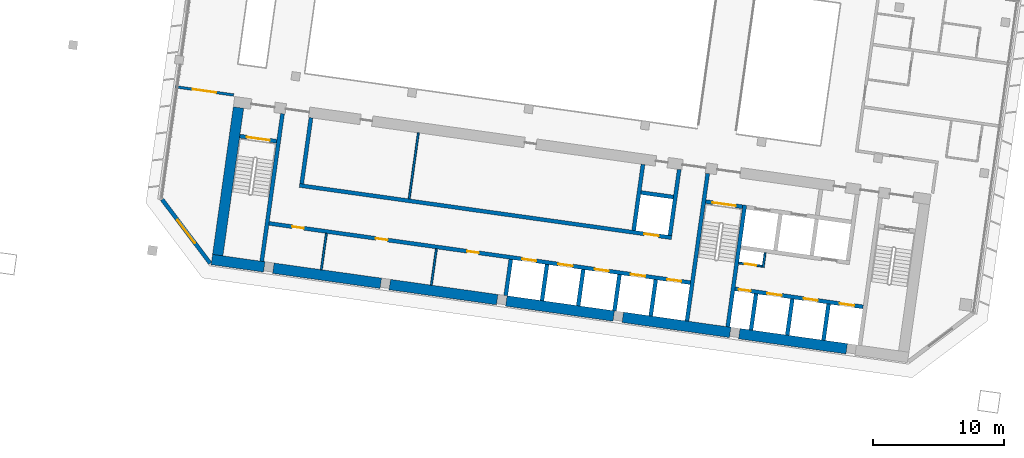
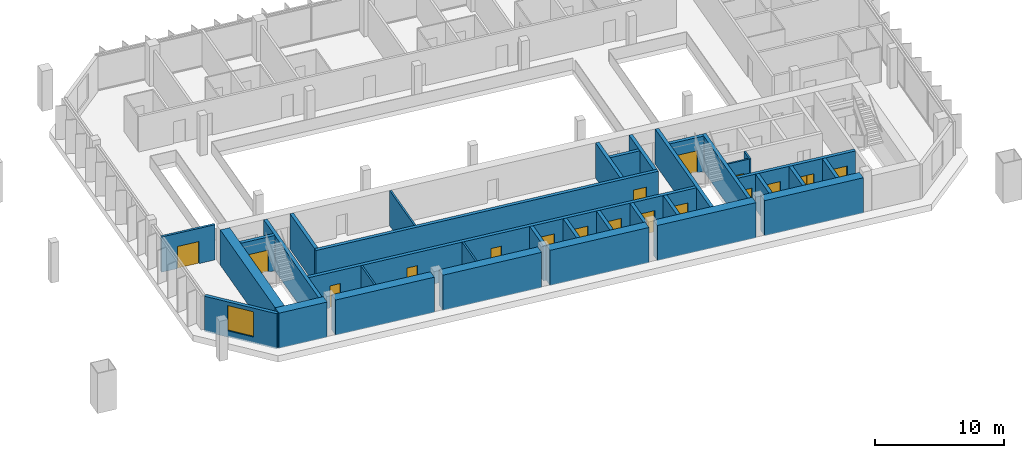
# One storey, part 16 of 26: 34 walls, 17 doors, 1 window, 18 openings.
"""IFC4 building model written with IfcOpenShell, lengths in metres."""

from ifc_helpers import new_model, si_unit, direction, frame, frame_2d, origin, place, context, subcontext, project, spatial, rectangle, extrude, material, layer, layer_set, type_object, element, fill, save


model = new_model("IFC4")

# Units and contexts
model_context = context("Model", 3, precision=1e-05, world=origin(), true_north=direction((0.0, 1.0)))
body_context = subcontext(model_context, "Body", "Model", "MODEL_VIEW")
ifc_project = project(units=[si_unit("LENGTHUNIT", "METRE"), si_unit("AREAUNIT", "SQUARE_METRE"), si_unit("VOLUMEUNIT", "CUBIC_METRE"), si_unit("PLANEANGLEUNIT", "RADIAN"), si_unit("MASSUNIT", "GRAM", prefix="KILO")], contexts=[model_context])

# Site, building, storey
site_placement = place(None, origin())
site = spatial("IfcSite", under=ifc_project, at=site_placement, CompositionType="ELEMENT")
building_placement = place(site_placement, origin())
building = spatial("IfcBuilding", under=site, at=building_placement, Name="Mirante Cascada Hotel Towers", CompositionType="ELEMENT")
storey_placement = place(building_placement, frame((0.0, 0.0, 98.7)))
storey = spatial("IfcBuildingStorey", under=building, at=storey_placement, Name="L21", CompositionType="ELEMENT", Elevation=98.7)

# Wall, opening, door
ifc_material_1 = material(Name="Fire-rated plasterboard on metal studs")
ifc_layer_1 = layer(ifc_material_1, 0.2)
ifc_layer_set_1 = layer_set([ifc_layer_1], Name="Compartment wall 200 EI 120")
wall_type_1 = type_object("IfcWallType", Name="Compartment wall 200 EI 120", PredefinedType="PARTITIONING", material=ifc_layer_set_1)
wall_1_placement = place(storey_placement, frame((-93.1941, 1.0244, 0.0), z_axis=(0.0, 0.0, 1.0), x_axis=(0.9902674, -0.1391779, 0.0)))
wall_1 = element("IfcWall", 1, at=wall_1_placement, inside=storey, type_object=wall_type_1, Name="Wall 1-L21-01", PredefinedType="PARTITIONING", context=body_context, shape_type="SweptSolid", body=[
    extrude(rectangle(XDim=4.5, YDim=0.2, at=frame_2d((2.25, 0.0))), origin(), (0.0, 0.0, 1.0), 3.35),
])
opening_1_placement = place(wall_1_placement, frame((1.35, 0.0, 0.0)))
opening_1 = element("IfcOpeningElement", 2, at=opening_1_placement, cuts=wall_1, Name="Opening D1-L21-01", PredefinedType="OPENING", context=body_context, shape_type="SweptSolid", body=[
    extrude(rectangle(XDim=1.8, YDim=2.1, at=frame_2d((0.9, 1.05))), frame((0.0, 0.1, 0.0), z_axis=(0.0, -1.0, 0.0), x_axis=(1.0, 0.0, 0.0)), (0.0, 0.0, 1.0), 0.2),
])
ifc_material_2 = material(Name="Fire-rated timber door leaf", Category="wood")
door_type_1 = type_object("IfcDoorType", Name="Suite double door DG2 1800x2100 EI 60", OperationType="DOUBLE_DOOR_SINGLE_SWING", PredefinedType="DOOR", material=ifc_material_2)
door_1_placement = place(opening_1_placement, origin())
door_1 = element("IfcDoor", 3, at=door_1_placement, inside=storey, type_object=door_type_1, Name="Door D1-L21-01", OperationType="DOUBLE_DOOR_SINGLE_SWING", OverallHeight=2.1, OverallWidth=1.8, PredefinedType="DOOR", context=body_context, shape_type="SweptSolid", body=[
    extrude(rectangle(XDim=0.895, YDim=2.1, at=frame_2d((0.4475, 1.05))), frame((0.0, 0.025, 0.0), z_axis=(0.0, -1.0, 0.0), x_axis=(1.0, 0.0, 0.0)), (0.0, 0.0, 1.0), 0.05),
    extrude(rectangle(XDim=0.895, YDim=2.1, at=frame_2d((1.3525, 1.05))), frame((0.0, 0.025, 0.0), z_axis=(0.0, -1.0, 0.0), x_axis=(1.0, 0.0, 0.0)), (0.0, 0.0, 1.0), 0.05),
])
fill(opening_1, door_1)

# Wall
ifc_material_3 = material(Name="Masonry block", Category="masonry")
ifc_layer_2 = layer(ifc_material_3, 0.15)
ifc_layer_set_2 = layer_set([ifc_layer_2], Name="Core room partition 150 block EI 30")
wall_type_2 = type_object("IfcWallType", Name="Core room partition 150 block EI 30", PredefinedType="PARTITIONING", material=ifc_layer_set_2)
wall_2_placement = place(storey_placement, frame((-48.2295, -12.793, 0.0), z_axis=(0.0, 0.0, 1.0), x_axis=(0.1391935, 0.9902652, 0.0)))
element("IfcWall", 4, at=wall_2_placement, inside=storey, type_object=wall_type_2, Name="Core wall partition T1 L21 2", PredefinedType="PARTITIONING", context=body_context, shape_type="SweptSolid", body=[
    extrude(rectangle(XDim=1.1251, YDim=0.15, at=frame_2d((0.5626, 0.0))), origin(), (0.0, 0.0, 1.0), 3.35),
])

# Wall, opening, door
wall_3_placement = place(storey_placement, frame((-48.2933, -12.7083, 0.0), z_axis=(0.0, 0.0, 1.0), x_axis=(-0.990268, 0.1391734, 0.0)))
wall_3 = element("IfcWall", 5, at=wall_3_placement, inside=storey, type_object=wall_type_2, Name="Core wall partition T1 L21 3", PredefinedType="PARTITIONING", context=body_context, shape_type="SweptSolid", body=[
    extrude(rectangle(XDim=1.8251, YDim=0.15, at=frame_2d((0.9126, 0.0))), origin(), (0.0, 0.0, 1.0), 3.35),
])
opening_2_placement = place(wall_3_placement, frame((0.4625, 0.0, 0.0)))
opening_2 = element("IfcOpeningElement", 6, at=opening_2_placement, cuts=wall_3, Name="Opening D1-21-C23", PredefinedType="OPENING", context=body_context, shape_type="SweptSolid", body=[
    extrude(rectangle(XDim=0.9, YDim=2.1, at=frame_2d((0.45, 1.05))), frame((0.0, 0.075, 0.0), z_axis=(0.0, -1.0, 0.0), x_axis=(1.0, 0.0, 0.0)), (0.0, 0.0, 1.0), 0.15),
])
ifc_material_4 = material(Name="Hollow metal fire door leaf")
door_type_2 = type_object("IfcDoorType", Name="Fire door 900x2100 FD60", OperationType="NOTDEFINED", PredefinedType="DOOR", material=ifc_material_4)
door_2_placement = place(opening_2_placement, origin())
door_2 = element("IfcDoor", 7, at=door_2_placement, inside=storey, type_object=door_type_2, Name="Riser door T1 L21 23", OperationType="SINGLE_SWING_LEFT", OverallHeight=2.1, OverallWidth=0.9, PredefinedType="DOOR", context=body_context, shape_type="SweptSolid", body=[
    extrude(rectangle(XDim=0.9, YDim=2.1, at=frame_2d((0.45, 1.05))), frame((0.0, 0.025, 0.0), z_axis=(0.0, -1.0, 0.0), x_axis=(1.0, 0.0, 0.0)), (0.0, 0.0, 1.0), 0.05),
])
fill(opening_2, door_2)

# Walls
wall_4_placement = place(storey_placement, frame((-73.6152, -14.1482, 0.0), z_axis=(0.0, 0.0, 1.0), x_axis=(0.139176, 0.9902677, 0.0)))
element("IfcWall", 8, at=wall_4_placement, inside=storey, type_object=wall_type_2, Name="Core wall partition T1 L21 4", PredefinedType="PARTITIONING", context=body_context, shape_type="SweptSolid", body=[
    extrude(rectangle(XDim=2.8001, YDim=0.15, at=frame_2d((1.4, 0.0))), origin(), (0.0, 0.0, 1.0), 3.35),
])
wall_5_placement = place(storey_placement, frame((-82.0324, -12.9652, 0.0), z_axis=(0.0, 0.0, 1.0), x_axis=(0.139141, 0.9902726, 0.0)))
element("IfcWall", 9, at=wall_5_placement, inside=storey, type_object=wall_type_2, Name="Core wall partition T1 L21 5", PredefinedType="PARTITIONING", context=body_context, shape_type="SweptSolid", body=[
    extrude(rectangle(XDim=2.8, YDim=0.15, at=frame_2d((1.4, 0.0))), origin(), (0.0, 0.0, 1.0), 3.35),
])
wall_6_placement = place(storey_placement, frame((-75.3131, -7.5476, 0.0), z_axis=(0.0, 0.0, 1.0), x_axis=(0.1391782, 0.9902673, 0.0)))
element("IfcWall", 10, at=wall_6_placement, inside=storey, type_object=wall_type_2, Name="Core wall partition T1 L21 6", PredefinedType="PARTITIONING", context=body_context, shape_type="SweptSolid", body=[
    extrude(rectangle(XDim=5.0999, YDim=0.15, at=frame_2d((2.55, 0.0))), origin(), (0.0, 0.0, 1.0), 3.35),
])

# Wall, opening, window
ifc_material_5 = material(Name="Precast concrete C40/50", Category="concrete")
ifc_layer_3 = layer(ifc_material_5, 0.3)
ifc_layer_set_3 = layer_set([ifc_layer_3], Name="Precast concrete C40/50 cladding wall 300")
wall_type_3 = type_object("IfcWallType", Name="Precast concrete C40/50 cladding wall 300", PredefinedType="STANDARD", material=ifc_layer_set_3)
wall_7_placement = place(storey_placement, frame((-90.5299, -12.4841, 0.0), z_axis=(0.0, 0.0, 1.0), x_axis=(-0.6018063, 0.7986421, 0.0)))
wall_7 = element("IfcWall", 11, at=wall_7_placement, inside=storey, type_object=wall_type_3, Name="Corner cladding wall T1 L21 rear outer", PredefinedType="STANDARD", context=body_context, shape_type="SweptSolid", body=[
    extrude(rectangle(XDim=6.1158, YDim=0.3, at=frame_2d((3.0579, 0.0))), origin(), (0.0, 0.0, 1.0), 3.35),
])
opening_3_placement = place(wall_7_placement, frame((1.9578, 0.0, 0.6)))
opening_3 = element("IfcOpeningElement", 12, at=opening_3_placement, cuts=wall_7, Name="Opening W1-21-01", PredefinedType="OPENING", context=body_context, shape_type="SweptSolid", body=[
    extrude(rectangle(XDim=2.2, YDim=2.4, at=frame_2d((1.1, 1.2))), frame((0.0, 0.15, 0.0), z_axis=(0.0, -1.0, 0.0), x_axis=(1.0, 0.0, 0.0)), (0.0, 0.0, 1.0), 0.3),
])
ifc_material_6 = material(Name="Aluminium frame with clear double glazing", Category="aluminium")
window_type = type_object("IfcWindowType", Name="Corner suite window 2200x2400", PartitioningType="DOUBLE_PANEL_VERTICAL", PredefinedType="WINDOW", material=ifc_material_6)
window_placement = place(opening_3_placement, origin())
window = element("IfcWindow", 13, at=window_placement, inside=storey, type_object=window_type, Name="Window W1-21-01", OverallHeight=2.4, OverallWidth=2.2, PartitioningType="SINGLE_PANEL", PredefinedType="WINDOW", context=body_context, shape_type="SweptSolid", body=[
    extrude(rectangle(XDim=2.2, YDim=2.4, at=frame_2d((1.1, 1.2))), frame((0.0, 0.03, 0.0), z_axis=(0.0, -1.0, 0.0), x_axis=(1.0, 0.0, 0.0)), (0.0, 0.0, 1.0), 0.06),
])
fill(opening_3, window)

# Walls
ifc_material_7 = material(Name="Concrete C50/60", Category="concrete")
ifc_layer_4 = layer(ifc_material_7, 0.3)
ifc_layer_set_4 = layer_set([ifc_layer_4], Name="RC core wall 300 C50/60")
wall_type_4 = type_object("IfcWallType", Name="RC core wall 300 C50/60", PredefinedType="SHEAR", material=ifc_layer_set_4)
wall_8_placement = place(storey_placement, frame((-50.938, -17.3352, 0.0), z_axis=(0.0, 0.0, 1.0), x_axis=(0.1391706, 0.9902684, 0.0)))
element("IfcWall", 14, at=wall_8_placement, inside=storey, type_object=wall_type_4, Name="Core wall T1:L21:6", PredefinedType="SHEAR", context=body_context, shape_type="SweptSolid", body=[
    extrude(rectangle(XDim=9.4, YDim=0.3, at=frame_2d((4.7, 0.0))), origin(), (0.0, 0.0, 1.0), 3.35),
])
wall_9_placement = place(storey_placement, frame((-54.0574, -16.8968, 0.0), z_axis=(0.0, 0.0, 1.0), x_axis=(0.1391761, 0.9902677, 0.0)))
element("IfcWall", 15, at=wall_9_placement, inside=storey, type_object=wall_type_4, Name="Core wall T1:L21:7", PredefinedType="SHEAR", context=body_context, shape_type="SweptSolid", body=[
    extrude(rectangle(XDim=11.3999, YDim=0.3, at=frame_2d((5.7, 0.0))), origin(), (0.0, 0.0, 1.0), 3.35),
])
wall_10_placement = place(storey_placement, frame((-86.5877, -12.325, 0.0), z_axis=(0.0, 0.0, 1.0), x_axis=(0.1391749, 0.9902678, 0.0)))
element("IfcWall", 16, at=wall_10_placement, inside=storey, type_object=wall_type_4, Name="Core wall T1:L21:8", PredefinedType="SHEAR", context=body_context, shape_type="SweptSolid", body=[
    extrude(rectangle(XDim=11.4, YDim=0.3, at=frame_2d((5.7, 0.0))), origin(), (0.0, 0.0, 1.0), 3.35),
])

# Wall, opening, door
wall_11_placement = place(storey_placement, frame((-49.7992, -8.1544, 0.0), z_axis=(0.0, 0.0, 1.0), x_axis=(-0.9902656, 0.1391909, 0.0)))
wall_11 = element("IfcWall", 17, at=wall_11_placement, inside=storey, type_object=wall_type_4, Name="Core wall T1:L21:10", PredefinedType="SHEAR", context=body_context, shape_type="SweptSolid", body=[
    extrude(rectangle(XDim=2.85, YDim=0.3, at=frame_2d((1.425, 0.0))), origin(), (0.0, 0.0, 1.0), 3.35),
])
opening_4_placement = place(wall_11_placement, frame((0.525, 0.0, 0.0)))
opening_4 = element("IfcOpeningElement", 18, at=opening_4_placement, cuts=wall_11, Name="Opening D1-21-C15", PredefinedType="OPENING", context=body_context, shape_type="SweptSolid", body=[
    extrude(rectangle(XDim=1.8, YDim=2.1, at=frame_2d((0.9, 1.05))), frame((0.0, 0.15, 0.0), z_axis=(0.0, -1.0, 0.0), x_axis=(1.0, 0.0, 0.0)), (0.0, 0.0, 1.0), 0.3),
])
ifc_material_8 = material(Name="Hollow metal fire door leaf")
door_type_3 = type_object("IfcDoorType", Name="Double fire door 1800x2100 FD60", OperationType="DOUBLE_DOOR_SINGLE_SWING", PredefinedType="DOOR", material=ifc_material_8)
door_3_placement = place(opening_4_placement, origin())
door_3 = element("IfcDoor", 19, at=door_3_placement, inside=storey, type_object=door_type_3, Name="Stair door T1 L21 15", OperationType="DOUBLE_DOOR_SINGLE_SWING", OverallHeight=2.1, OverallWidth=1.8, PredefinedType="DOOR", context=body_context, shape_type="SweptSolid", body=[
    extrude(rectangle(XDim=0.895, YDim=2.1, at=frame_2d((0.4475, 1.05))), frame((0.0, 0.025, 0.0), z_axis=(0.0, -1.0, 0.0), x_axis=(1.0, 0.0, 0.0)), (0.0, 0.0, 1.0), 0.05),
    extrude(rectangle(XDim=0.895, YDim=2.1, at=frame_2d((1.3525, 1.05))), frame((0.0, 0.025, 0.0), z_axis=(0.0, -1.0, 0.0), x_axis=(1.0, 0.0, 0.0)), (0.0, 0.0, 1.0), 0.05),
])
fill(opening_4, door_3)

wall_12_placement = place(storey_placement, frame((-85.4489, -3.1441, 0.0), z_axis=(0.0, 0.0, 1.0), x_axis=(-0.9902697, 0.1391613, 0.0)))
wall_12 = element("IfcWall", 20, at=wall_12_placement, inside=storey, type_object=wall_type_4, Name="Core wall T1:L21:11", PredefinedType="SHEAR", context=body_context, shape_type="SweptSolid", body=[
    extrude(rectangle(XDim=2.8499, YDim=0.3, at=frame_2d((1.425, 0.0))), origin(), (0.0, 0.0, 1.0), 3.35),
])
opening_5_placement = place(wall_12_placement, frame((0.525, 0.0, 0.0)))
opening_5 = element("IfcOpeningElement", 21, at=opening_5_placement, cuts=wall_12, Name="Opening D1-21-C17", PredefinedType="OPENING", context=body_context, shape_type="SweptSolid", body=[
    extrude(rectangle(XDim=1.8, YDim=2.1, at=frame_2d((0.9, 1.05))), frame((0.0, 0.15, 0.0), z_axis=(0.0, -1.0, 0.0), x_axis=(1.0, 0.0, 0.0)), (0.0, 0.0, 1.0), 0.3),
])
door_4_placement = place(opening_5_placement, origin())
door_4 = element("IfcDoor", 22, at=door_4_placement, inside=storey, type_object=door_type_3, Name="Stair door T1 L21 17", OperationType="DOUBLE_DOOR_SINGLE_SWING", OverallHeight=2.1, OverallWidth=1.8, PredefinedType="DOOR", context=body_context, shape_type="SweptSolid", body=[
    extrude(rectangle(XDim=0.895, YDim=2.1, at=frame_2d((0.4475, 1.05))), frame((0.0, 0.025, 0.0), z_axis=(0.0, -1.0, 0.0), x_axis=(1.0, 0.0, 0.0)), (0.0, 0.0, 1.0), 0.05),
    extrude(rectangle(XDim=0.895, YDim=2.1, at=frame_2d((1.3525, 1.05))), frame((0.0, 0.025, 0.0), z_axis=(0.0, -1.0, 0.0), x_axis=(1.0, 0.0, 0.0)), (0.0, 0.0, 1.0), 0.05),
])
fill(opening_5, door_4)

# Wall, openings, doors
wall_13_placement = place(storey_placement, frame((-40.5753, -15.8126, 0.0), z_axis=(0.0, 0.0, 1.0), x_axis=(-0.9902682, 0.1391725, 0.0)))
wall_13 = element("IfcWall", 23, at=wall_13_placement, inside=storey, type_object=wall_type_4, Name="Core wall T1:L21:12", PredefinedType="SHEAR", context=body_context, shape_type="SweptSolid", body=[
    extrude(rectangle(XDim=9.8999, YDim=0.3, at=frame_2d((4.95, 0.0))), origin(), (0.0, 0.0, 1.0), 3.35),
])
opening_6_placement = place(wall_13_placement, frame((0.7, 0.0, 0.0)))
opening_6 = element("IfcOpeningElement", 24, at=opening_6_placement, cuts=wall_13, Name="Opening LD", PredefinedType="OPENING", context=body_context, shape_type="SweptSolid", body=[
    extrude(rectangle(XDim=1.1, YDim=2.1, at=frame_2d((0.55, 1.05))), frame((0.0, 0.15, 0.0), z_axis=(0.0, -1.0, 0.0), x_axis=(1.0, 0.0, 0.0)), (0.0, 0.0, 1.0), 0.3),
])
opening_7_placement = place(wall_13_placement, frame((3.5, 0.0, 0.0)))
opening_7 = element("IfcOpeningElement", 25, at=opening_7_placement, cuts=wall_13, Name="Opening LD", PredefinedType="OPENING", context=body_context, shape_type="SweptSolid", body=[
    extrude(rectangle(XDim=1.1, YDim=2.1, at=frame_2d((0.55, 1.05))), frame((0.0, 0.15, 0.0), z_axis=(0.0, -1.0, 0.0), x_axis=(1.0, 0.0, 0.0)), (0.0, 0.0, 1.0), 0.3),
])
opening_8_placement = place(wall_13_placement, frame((6.3, 0.0, 0.0)))
opening_8 = element("IfcOpeningElement", 26, at=opening_8_placement, cuts=wall_13, Name="Opening LD", PredefinedType="OPENING", context=body_context, shape_type="SweptSolid", body=[
    extrude(rectangle(XDim=1.1, YDim=2.1, at=frame_2d((0.55, 1.05))), frame((0.0, 0.15, 0.0), z_axis=(0.0, -1.0, 0.0), x_axis=(1.0, 0.0, 0.0)), (0.0, 0.0, 1.0), 0.3),
])
opening_9_placement = place(wall_13_placement, frame((8.7, 0.0, 0.0)))
opening_9 = element("IfcOpeningElement", 27, at=opening_9_placement, cuts=wall_13, Name="Opening D1-21-C22", PredefinedType="OPENING", context=body_context, shape_type="SweptSolid", body=[
    extrude(rectangle(XDim=0.9, YDim=2.1, at=frame_2d((0.45, 1.05))), frame((0.0, 0.15, 0.0), z_axis=(0.0, -1.0, 0.0), x_axis=(1.0, 0.0, 0.0)), (0.0, 0.0, 1.0), 0.3),
])
door_5_placement = place(opening_9_placement, origin())
door_5 = element("IfcDoor", 28, at=door_5_placement, inside=storey, type_object=door_type_2, Name="Riser door T1 L21 22", OperationType="SINGLE_SWING_LEFT", OverallHeight=2.1, OverallWidth=0.9, PredefinedType="DOOR", context=body_context, shape_type="SweptSolid", body=[
    extrude(rectangle(XDim=0.9, YDim=2.1, at=frame_2d((0.45, 1.05))), frame((0.0, 0.025, 0.0), z_axis=(0.0, -1.0, 0.0), x_axis=(1.0, 0.0, 0.0)), (0.0, 0.0, 1.0), 0.05),
])
fill(opening_9, door_5)
ifc_material_9 = material(Name="Stainless steel", Category="steel")
door_type_4 = type_object("IfcDoorType", Name="Lift landing door 1100x2100 EI 120", OperationType="DOUBLE_DOOR_SLIDING", PredefinedType="DOOR", material=ifc_material_9)
door_6_placement = place(opening_6_placement, origin())
door_6 = element("IfcDoor", 29, at=door_6_placement, inside=storey, type_object=door_type_4, Name="Lift landing door HR1-1 L21", OperationType="DOUBLE_DOOR_SLIDING", OverallHeight=2.1, OverallWidth=1.1, PredefinedType="DOOR", context=body_context, shape_type="SweptSolid", body=[
    extrude(rectangle(XDim=0.545, YDim=2.1, at=frame_2d((0.2725, 1.05))), frame((0.0, 0.025, 0.0), z_axis=(0.0, -1.0, 0.0), x_axis=(1.0, 0.0, 0.0)), (0.0, 0.0, 1.0), 0.05),
    extrude(rectangle(XDim=0.545, YDim=2.1, at=frame_2d((0.8275, 1.05))), frame((0.0, 0.025, 0.0), z_axis=(0.0, -1.0, 0.0), x_axis=(1.0, 0.0, 0.0)), (0.0, 0.0, 1.0), 0.05),
])
fill(opening_6, door_6)
door_7_placement = place(opening_7_placement, origin())
door_7 = element("IfcDoor", 30, at=door_7_placement, inside=storey, type_object=door_type_4, Name="Lift landing door HR1-2 L21", OperationType="DOUBLE_DOOR_SLIDING", OverallHeight=2.1, OverallWidth=1.1, PredefinedType="DOOR", context=body_context, shape_type="SweptSolid", body=[
    extrude(rectangle(XDim=0.545, YDim=2.1, at=frame_2d((0.2725, 1.05))), frame((0.0, 0.025, 0.0), z_axis=(0.0, -1.0, 0.0), x_axis=(1.0, 0.0, 0.0)), (0.0, 0.0, 1.0), 0.05),
    extrude(rectangle(XDim=0.545, YDim=2.1, at=frame_2d((0.8275, 1.05))), frame((0.0, 0.025, 0.0), z_axis=(0.0, -1.0, 0.0), x_axis=(1.0, 0.0, 0.0)), (0.0, 0.0, 1.0), 0.05),
])
fill(opening_7, door_7)
door_8_placement = place(opening_8_placement, origin())
door_8 = element("IfcDoor", 31, at=door_8_placement, inside=storey, type_object=door_type_4, Name="Lift landing door HR1-3 L21", OperationType="DOUBLE_DOOR_SLIDING", OverallHeight=2.1, OverallWidth=1.1, PredefinedType="DOOR", context=body_context, shape_type="SweptSolid", body=[
    extrude(rectangle(XDim=0.545, YDim=2.1, at=frame_2d((0.2725, 1.05))), frame((0.0, 0.025, 0.0), z_axis=(0.0, -1.0, 0.0), x_axis=(1.0, 0.0, 0.0)), (0.0, 0.0, 1.0), 0.05),
    extrude(rectangle(XDim=0.545, YDim=2.1, at=frame_2d((0.8275, 1.05))), frame((0.0, 0.025, 0.0), z_axis=(0.0, -1.0, 0.0), x_axis=(1.0, 0.0, 0.0)), (0.0, 0.0, 1.0), 0.05),
])
fill(opening_8, door_8)

# Walls
wall_14_placement = place(storey_placement, frame((-43.61, -18.3651, 0.0), z_axis=(0.0, 0.0, 1.0), x_axis=(0.1391459, 0.9902719, 0.0)))
element("IfcWall", 32, at=wall_14_placement, inside=storey, type_object=wall_type_4, Name="Core wall T1:L21:15", PredefinedType="SHEAR", context=body_context, shape_type="SweptSolid", body=[
    extrude(rectangle(XDim=2.7999, YDim=0.3, at=frame_2d((1.4, 0.0))), origin(), (0.0, 0.0, 1.0), 3.35),
])
wall_15_placement = place(storey_placement, frame((-46.3828, -17.9754, 0.0), z_axis=(0.0, 0.0, 1.0), x_axis=(0.139181, 0.990267, 0.0)))
element("IfcWall", 33, at=wall_15_placement, inside=storey, type_object=wall_type_4, Name="Core wall T1:L21:16", PredefinedType="SHEAR", context=body_context, shape_type="SweptSolid", body=[
    extrude(rectangle(XDim=2.8, YDim=0.3, at=frame_2d((1.4, 0.0))), origin(), (0.0, 0.0, 1.0), 3.35),
])
wall_16_placement = place(storey_placement, frame((-49.1555, -17.5857, 0.0), z_axis=(0.0, 0.0, 1.0), x_axis=(0.1391459, 0.9902719, 0.0)))
element("IfcWall", 34, at=wall_16_placement, inside=storey, type_object=wall_type_4, Name="Core wall T1:L21:17", PredefinedType="SHEAR", context=body_context, shape_type="SweptSolid", body=[
    extrude(rectangle(XDim=2.7999, YDim=0.3, at=frame_2d((1.4, 0.0))), origin(), (0.0, 0.0, 1.0), 3.35),
])

# Wall, openings, doors
wall_17_placement = place(storey_placement, frame((-53.7953, -13.9547, 0.0), z_axis=(0.0, 0.0, 1.0), x_axis=(-0.990268, 0.1391733, 0.0)))
wall_17 = element("IfcWall", 35, at=wall_17_placement, inside=storey, type_object=wall_type_4, Name="Core wall T1:L21:24", PredefinedType="SHEAR", context=body_context, shape_type="SweptSolid", body=[
    extrude(rectangle(XDim=32.5501, YDim=0.3, at=frame_2d((16.275, 0.0))), origin(), (0.0, 0.0, 1.0), 3.35),
])
opening_10_placement = place(wall_17_placement, frame((0.7, 0.0, 0.0)))
opening_10 = element("IfcOpeningElement", 36, at=opening_10_placement, cuts=wall_17, Name="Opening LD", PredefinedType="OPENING", context=body_context, shape_type="SweptSolid", body=[
    extrude(rectangle(XDim=1.1, YDim=2.1, at=frame_2d((0.55, 1.05))), frame((0.0, 0.15, 0.0), z_axis=(0.0, -1.0, 0.0), x_axis=(1.0, 0.0, 0.0)), (0.0, 0.0, 1.0), 0.3),
])
opening_11_placement = place(wall_17_placement, frame((3.5, 0.0, 0.0)))
opening_11 = element("IfcOpeningElement", 37, at=opening_11_placement, cuts=wall_17, Name="Opening LD", PredefinedType="OPENING", context=body_context, shape_type="SweptSolid", body=[
    extrude(rectangle(XDim=1.1, YDim=2.1, at=frame_2d((0.55, 1.05))), frame((0.0, 0.15, 0.0), z_axis=(0.0, -1.0, 0.0), x_axis=(1.0, 0.0, 0.0)), (0.0, 0.0, 1.0), 0.3),
])
opening_12_placement = place(wall_17_placement, frame((6.3, 0.0, 0.0)))
opening_12 = element("IfcOpeningElement", 38, at=opening_12_placement, cuts=wall_17, Name="Opening LD", PredefinedType="OPENING", context=body_context, shape_type="SweptSolid", body=[
    extrude(rectangle(XDim=1.1, YDim=2.1, at=frame_2d((0.55, 1.05))), frame((0.0, 0.15, 0.0), z_axis=(0.0, -1.0, 0.0), x_axis=(1.0, 0.0, 0.0)), (0.0, 0.0, 1.0), 0.3),
])
opening_13_placement = place(wall_17_placement, frame((9.1, 0.0, 0.0)))
opening_13 = element("IfcOpeningElement", 39, at=opening_13_placement, cuts=wall_17, Name="Opening LD", PredefinedType="OPENING", context=body_context, shape_type="SweptSolid", body=[
    extrude(rectangle(XDim=1.1, YDim=2.1, at=frame_2d((0.55, 1.05))), frame((0.0, 0.15, 0.0), z_axis=(0.0, -1.0, 0.0), x_axis=(1.0, 0.0, 0.0)), (0.0, 0.0, 1.0), 0.3),
])
opening_14_placement = place(wall_17_placement, frame((11.9, 0.0, 0.0)))
opening_14 = element("IfcOpeningElement", 40, at=opening_14_placement, cuts=wall_17, Name="Opening LD", PredefinedType="OPENING", context=body_context, shape_type="SweptSolid", body=[
    extrude(rectangle(XDim=1.1, YDim=2.1, at=frame_2d((0.55, 1.05))), frame((0.0, 0.15, 0.0), z_axis=(0.0, -1.0, 0.0), x_axis=(1.0, 0.0, 0.0)), (0.0, 0.0, 1.0), 0.3),
])
opening_15_placement = place(wall_17_placement, frame((16.35, 0.0, 0.0)))
opening_15 = element("IfcOpeningElement", 41, at=opening_15_placement, cuts=wall_17, Name="Opening D1-21-C25", PredefinedType="OPENING", context=body_context, shape_type="SweptSolid", body=[
    extrude(rectangle(XDim=0.9, YDim=2.1, at=frame_2d((0.45, 1.05))), frame((0.0, 0.15, 0.0), z_axis=(0.0, -1.0, 0.0), x_axis=(1.0, 0.0, 0.0)), (0.0, 0.0, 1.0), 0.3),
])
opening_16_placement = place(wall_17_placement, frame((23.4, 0.0, 0.0)))
opening_16 = element("IfcOpeningElement", 42, at=opening_16_placement, cuts=wall_17, Name="Opening D1-21-C26", PredefinedType="OPENING", context=body_context, shape_type="SweptSolid", body=[
    extrude(rectangle(XDim=0.9, YDim=2.1, at=frame_2d((0.45, 1.05))), frame((0.0, 0.15, 0.0), z_axis=(0.0, -1.0, 0.0), x_axis=(1.0, 0.0, 0.0)), (0.0, 0.0, 1.0), 0.3),
])
opening_17_placement = place(wall_17_placement, frame((29.875, 0.0, 0.0)))
opening_17 = element("IfcOpeningElement", 43, at=opening_17_placement, cuts=wall_17, Name="Opening D1-21-C27", PredefinedType="OPENING", context=body_context, shape_type="SweptSolid", body=[
    extrude(rectangle(XDim=0.9, YDim=2.1, at=frame_2d((0.45, 1.05))), frame((0.0, 0.15, 0.0), z_axis=(0.0, -1.0, 0.0), x_axis=(1.0, 0.0, 0.0)), (0.0, 0.0, 1.0), 0.3),
])
door_9_placement = place(opening_15_placement, origin())
door_9 = element("IfcDoor", 44, at=door_9_placement, inside=storey, type_object=door_type_2, Name="Room door T1 L21 25", OperationType="SINGLE_SWING_LEFT", OverallHeight=2.1, OverallWidth=0.9, PredefinedType="DOOR", context=body_context, shape_type="SweptSolid", body=[
    extrude(rectangle(XDim=0.9, YDim=2.1, at=frame_2d((0.45, 1.05))), frame((0.0, 0.025, 0.0), z_axis=(0.0, -1.0, 0.0), x_axis=(1.0, 0.0, 0.0)), (0.0, 0.0, 1.0), 0.05),
])
fill(opening_15, door_9)
door_10_placement = place(opening_16_placement, origin())
door_10 = element("IfcDoor", 45, at=door_10_placement, inside=storey, type_object=door_type_2, Name="Room door T1 L21 26", OperationType="SINGLE_SWING_LEFT", OverallHeight=2.1, OverallWidth=0.9, PredefinedType="DOOR", context=body_context, shape_type="SweptSolid", body=[
    extrude(rectangle(XDim=0.9, YDim=2.1, at=frame_2d((0.45, 1.05))), frame((0.0, 0.025, 0.0), z_axis=(0.0, -1.0, 0.0), x_axis=(1.0, 0.0, 0.0)), (0.0, 0.0, 1.0), 0.05),
])
fill(opening_16, door_10)
door_11_placement = place(opening_17_placement, origin())
door_11 = element("IfcDoor", 46, at=door_11_placement, inside=storey, type_object=door_type_2, Name="Room door T1 L21 27", OperationType="SINGLE_SWING_LEFT", OverallHeight=2.1, OverallWidth=0.9, PredefinedType="DOOR", context=body_context, shape_type="SweptSolid", body=[
    extrude(rectangle(XDim=0.9, YDim=2.1, at=frame_2d((0.45, 1.05))), frame((0.0, 0.025, 0.0), z_axis=(0.0, -1.0, 0.0), x_axis=(1.0, 0.0, 0.0)), (0.0, 0.0, 1.0), 0.05),
])
fill(opening_17, door_11)
door_12_placement = place(opening_10_placement, origin())
door_12 = element("IfcDoor", 47, at=door_12_placement, inside=storey, type_object=door_type_4, Name="Lift landing door LR1-1 L21", OperationType="DOUBLE_DOOR_SLIDING", OverallHeight=2.1, OverallWidth=1.1, PredefinedType="DOOR", context=body_context, shape_type="SweptSolid", body=[
    extrude(rectangle(XDim=0.545, YDim=2.1, at=frame_2d((0.2725, 1.05))), frame((0.0, 0.025, 0.0), z_axis=(0.0, -1.0, 0.0), x_axis=(1.0, 0.0, 0.0)), (0.0, 0.0, 1.0), 0.05),
    extrude(rectangle(XDim=0.545, YDim=2.1, at=frame_2d((0.8275, 1.05))), frame((0.0, 0.025, 0.0), z_axis=(0.0, -1.0, 0.0), x_axis=(1.0, 0.0, 0.0)), (0.0, 0.0, 1.0), 0.05),
])
fill(opening_10, door_12)
door_13_placement = place(opening_11_placement, origin())
door_13 = element("IfcDoor", 48, at=door_13_placement, inside=storey, type_object=door_type_4, Name="Lift landing door LR1-2 L21", OperationType="DOUBLE_DOOR_SLIDING", OverallHeight=2.1, OverallWidth=1.1, PredefinedType="DOOR", context=body_context, shape_type="SweptSolid", body=[
    extrude(rectangle(XDim=0.545, YDim=2.1, at=frame_2d((0.2725, 1.05))), frame((0.0, 0.025, 0.0), z_axis=(0.0, -1.0, 0.0), x_axis=(1.0, 0.0, 0.0)), (0.0, 0.0, 1.0), 0.05),
    extrude(rectangle(XDim=0.545, YDim=2.1, at=frame_2d((0.8275, 1.05))), frame((0.0, 0.025, 0.0), z_axis=(0.0, -1.0, 0.0), x_axis=(1.0, 0.0, 0.0)), (0.0, 0.0, 1.0), 0.05),
])
fill(opening_11, door_13)
door_14_placement = place(opening_12_placement, origin())
door_14 = element("IfcDoor", 49, at=door_14_placement, inside=storey, type_object=door_type_4, Name="Lift landing door SV1-1 L21", OperationType="DOUBLE_DOOR_SLIDING", OverallHeight=2.1, OverallWidth=1.1, PredefinedType="DOOR", context=body_context, shape_type="SweptSolid", body=[
    extrude(rectangle(XDim=0.545, YDim=2.1, at=frame_2d((0.2725, 1.05))), frame((0.0, 0.025, 0.0), z_axis=(0.0, -1.0, 0.0), x_axis=(1.0, 0.0, 0.0)), (0.0, 0.0, 1.0), 0.05),
    extrude(rectangle(XDim=0.545, YDim=2.1, at=frame_2d((0.8275, 1.05))), frame((0.0, 0.025, 0.0), z_axis=(0.0, -1.0, 0.0), x_axis=(1.0, 0.0, 0.0)), (0.0, 0.0, 1.0), 0.05),
])
fill(opening_12, door_14)
door_15_placement = place(opening_13_placement, origin())
door_15 = element("IfcDoor", 50, at=door_15_placement, inside=storey, type_object=door_type_4, Name="Lift landing door SV1-2 L21", OperationType="DOUBLE_DOOR_SLIDING", OverallHeight=2.1, OverallWidth=1.1, PredefinedType="DOOR", context=body_context, shape_type="SweptSolid", body=[
    extrude(rectangle(XDim=0.545, YDim=2.1, at=frame_2d((0.2725, 1.05))), frame((0.0, 0.025, 0.0), z_axis=(0.0, -1.0, 0.0), x_axis=(1.0, 0.0, 0.0)), (0.0, 0.0, 1.0), 0.05),
    extrude(rectangle(XDim=0.545, YDim=2.1, at=frame_2d((0.8275, 1.05))), frame((0.0, 0.025, 0.0), z_axis=(0.0, -1.0, 0.0), x_axis=(1.0, 0.0, 0.0)), (0.0, 0.0, 1.0), 0.05),
])
fill(opening_13, door_15)
door_16_placement = place(opening_14_placement, origin())
door_16 = element("IfcDoor", 51, at=door_16_placement, inside=storey, type_object=door_type_4, Name="Lift landing door SV1-3 L21", OperationType="DOUBLE_DOOR_SLIDING", OverallHeight=2.1, OverallWidth=1.1, PredefinedType="DOOR", context=body_context, shape_type="SweptSolid", body=[
    extrude(rectangle(XDim=0.545, YDim=2.1, at=frame_2d((0.2725, 1.05))), frame((0.0, 0.025, 0.0), z_axis=(0.0, -1.0, 0.0), x_axis=(1.0, 0.0, 0.0)), (0.0, 0.0, 1.0), 0.05),
    extrude(rectangle(XDim=0.545, YDim=2.1, at=frame_2d((0.8275, 1.05))), frame((0.0, 0.025, 0.0), z_axis=(0.0, -1.0, 0.0), x_axis=(1.0, 0.0, 0.0)), (0.0, 0.0, 1.0), 0.05),
])
fill(opening_14, door_16)

# Walls
for number, where, z_axis, x_axis, name in (
    (52, (-56.8301, -16.5072, 0.0), (0.0, 0.0, 1.0), (0.139176, 0.9902677, 0.0), "Core wall T1:L21:25"),
    (53, (-59.6029, -16.1175, 0.0), (0.0, 0.0, 1.0), (0.139176, 0.9902677, 0.0), "Core wall T1:L21:26"),
    (54, (-62.3756, -15.7278, 0.0), (0.0, 0.0, 1.0), (0.139176, 0.9902677, 0.0), "Core wall T1:L21:27"),
    (55, (-65.1484, -15.3381, 0.0), (0.0, 0.0, 1.0), (0.139176, 0.9902677, 0.0), "Core wall T1:L21:28"),
):
    element("IfcWall", number, at=place(storey_placement, frame(where, z_axis=z_axis, x_axis=x_axis)), inside=storey, type_object=wall_type_4, Name=name, PredefinedType="SHEAR", context=body_context, shape_type="SweptSolid", body=[
        extrude(rectangle(XDim=2.8001, YDim=0.3, at=frame_2d((1.4, 0.0))), origin(), (0.0, 0.0, 1.0), 3.35),
    ])
wall_18_placement = place(storey_placement, frame((-67.9211, -14.9484, 0.0), z_axis=(0.0, 0.0, 1.0), x_axis=(0.139181, 0.990267, 0.0)))
element("IfcWall", 56, at=wall_18_placement, inside=storey, type_object=wall_type_4, Name="Core wall T1:L21:29", PredefinedType="SHEAR", context=body_context, shape_type="SweptSolid", body=[
    extrude(rectangle(XDim=2.8, YDim=0.3, at=frame_2d((1.4, 0.0))), origin(), (0.0, 0.0, 1.0), 3.35),
])

# Wall, opening, door
wall_19_placement = place(storey_placement, frame((-55.2315, -10.5214, 0.0), z_axis=(0.0, 0.0, 1.0), x_axis=(-0.9902682, 0.1391722, 0.0)))
wall_19 = element("IfcWall", 57, at=wall_19_placement, inside=storey, type_object=wall_type_4, Name="Core wall T1:L21:32", PredefinedType="SHEAR", context=body_context, shape_type="SweptSolid", body=[
    extrude(rectangle(XDim=28.75, YDim=0.3, at=frame_2d((14.375, 0.0))), origin(), (0.0, 0.0, 1.0), 3.35),
])
opening_18_placement = place(wall_19_placement, frame((1.0, 0.0, 0.0)))
opening_18 = element("IfcOpeningElement", 58, at=opening_18_placement, cuts=wall_19, Name="Opening LD", PredefinedType="OPENING", context=body_context, shape_type="SweptSolid", body=[
    extrude(rectangle(XDim=1.1, YDim=2.1, at=frame_2d((0.55, 1.05))), frame((0.0, 0.15, 0.0), z_axis=(0.0, -1.0, 0.0), x_axis=(1.0, 0.0, 0.0)), (0.0, 0.0, 1.0), 0.3),
])
door_17_placement = place(opening_18_placement, origin())
door_17 = element("IfcDoor", 59, at=door_17_placement, inside=storey, type_object=door_type_4, Name="Lift landing door LR1-3 L21", OperationType="DOUBLE_DOOR_SLIDING", OverallHeight=2.1, OverallWidth=1.1, PredefinedType="DOOR", context=body_context, shape_type="SweptSolid", body=[
    extrude(rectangle(XDim=0.545, YDim=2.1, at=frame_2d((0.2725, 1.05))), frame((0.0, 0.025, 0.0), z_axis=(0.0, -1.0, 0.0), x_axis=(1.0, 0.0, 0.0)), (0.0, 0.0, 1.0), 0.05),
    extrude(rectangle(XDim=0.545, YDim=2.1, at=frame_2d((0.8275, 1.05))), frame((0.0, 0.025, 0.0), z_axis=(0.0, -1.0, 0.0), x_axis=(1.0, 0.0, 0.0)), (0.0, 0.0, 1.0), 0.05),
])
fill(opening_18, door_17)

# Walls
for number, where, z_axis, x_axis, name in (
    (60, (-55.3592, -10.352, 0.0), (0.0, 0.0, 1.0), (0.1391755, 0.9902677, 0.0), "Core wall T1:L21:33"),
    (61, (-83.5323, -6.3925, 0.0), (0.0, 0.0, 1.0), (0.1391755, 0.9902677, 0.0), "Core wall T1:L21:34"),
    (62, (-58.1319, -9.9623, 0.0), (0.0, 0.0, 1.0), (0.1391755, 0.9902677, 0.0), "Core wall T1:L21:35"),
):
    element("IfcWall", number, at=place(storey_placement, frame(where, z_axis=z_axis, x_axis=x_axis)), inside=storey, type_object=wall_type_4, Name=name, PredefinedType="SHEAR", context=body_context, shape_type="SweptSolid", body=[
        extrude(rectangle(XDim=5.1, YDim=0.3, at=frame_2d((2.55, 0.0))), origin(), (0.0, 0.0, 1.0), 3.35),
    ])
wall_20_placement = place(storey_placement, frame((-55.0971, -7.4098, 0.0), z_axis=(0.0, 0.0, 1.0), x_axis=(-0.9902701, 0.1391586, 0.0)))
element("IfcWall", 63, at=wall_20_placement, inside=storey, type_object=wall_type_4, Name="Core wall T1:L21:36", PredefinedType="SHEAR", context=body_context, shape_type="SweptSolid", body=[
    extrude(rectangle(XDim=2.5, YDim=0.3, at=frame_2d((1.25, 0.0))), origin(), (0.0, 0.0, 1.0), 3.35),
])
ifc_material_10 = material(Name="Concrete C50/60", Category="concrete")
ifc_layer_5 = layer(ifc_material_10, 0.8)
ifc_layer_set_5 = layer_set([ifc_layer_5], Name="RC core wall 800 C50/60")
wall_type_5 = type_object("IfcWallType", Name="RC core wall 800 C50/60", PredefinedType="SHEAR", material=ifc_layer_set_5)
for number, where, z_axis, x_axis, name in (
    (64, (-41.8337, -19.0187, 0.0), (0.0, 0.0, 1.0), (-0.9902686, 0.1391692, 0.0), "Core wall T1:L21:1.2"),
    (65, (-50.7461, -17.7661, 0.0), (0.0, 0.0, 1.0), (-0.9902686, 0.1391692, 0.0), "Core wall T1:L21:1.3"),
):
    element("IfcWall", number, at=place(storey_placement, frame(where, z_axis=z_axis, x_axis=x_axis)), inside=storey, type_object=wall_type_5, Name=name, PredefinedType="SHEAR", context=body_context, shape_type="SweptSolid", body=[
        extrude(rectangle(XDim=8.3, YDim=0.8, at=frame_2d((4.15, 0.0))), origin(), (0.0, 0.0, 1.0), 3.35),
    ])
for number, where, z_axis, x_axis, name in (
    (66, (-59.6585, -16.5136, 0.0), (0.0, 0.0, 1.0), (-0.9902672, 0.1391793, 0.0), "Core wall T1:L21:1.4"),
    (67, (-68.5709, -15.261, 0.0), (0.0, 0.0, 1.0), (-0.9902689, 0.1391675, 0.0), "Core wall T1:L21:1.5"),
):
    element("IfcWall", number, at=place(storey_placement, frame(where, z_axis=z_axis, x_axis=x_axis)), inside=storey, type_object=wall_type_5, Name=name, PredefinedType="SHEAR", context=body_context, shape_type="SweptSolid", body=[
        extrude(rectangle(XDim=8.3001, YDim=0.8, at=frame_2d((4.15, 0.0))), origin(), (0.0, 0.0, 1.0), 3.35),
    ])
wall_21_placement = place(storey_placement, frame((-77.4834, -14.0085, 0.0), z_axis=(0.0, 0.0, 1.0), x_axis=(-0.990267, 0.139181, 0.0)))
element("IfcWall", 68, at=wall_21_placement, inside=storey, type_object=wall_type_5, Name="Core wall T1:L21:1.6", PredefinedType="SHEAR", context=body_context, shape_type="SweptSolid", body=[
    extrude(rectangle(XDim=8.3, YDim=0.8, at=frame_2d((4.15, 0.0))), origin(), (0.0, 0.0, 1.0), 3.35),
])
wall_22_placement = place(storey_placement, frame((-86.3958, -12.7559, 0.0), z_axis=(0.0, 0.0, 1.0), x_axis=(-0.9902665, 0.1391845, 0.0)))
element("IfcWall", 69, at=wall_22_placement, inside=storey, type_object=wall_type_5, Name="Core wall T1:L21:1.7", PredefinedType="SHEAR", context=body_context, shape_type="SweptSolid", body=[
    extrude(rectangle(XDim=4.05, YDim=0.8, at=frame_2d((2.025, 0.0))), origin(), (0.0, 0.0, 1.0), 3.35),
])
wall_23_placement = place(storey_placement, frame((-89.9546, -11.8518, 0.0), z_axis=(0.0, 0.0, 1.0), x_axis=(0.1391761, 0.9902677, 0.0)))
element("IfcWall", 70, at=wall_23_placement, inside=storey, type_object=wall_type_5, Name="Core wall T1:L21:4", PredefinedType="SHEAR", context=body_context, shape_type="SweptSolid", body=[
    extrude(rectangle(XDim=11.3999, YDim=0.8, at=frame_2d((5.7, 0.0))), origin(), (0.0, 0.0, 1.0), 3.35),
])

save(model, "model.ifc")
